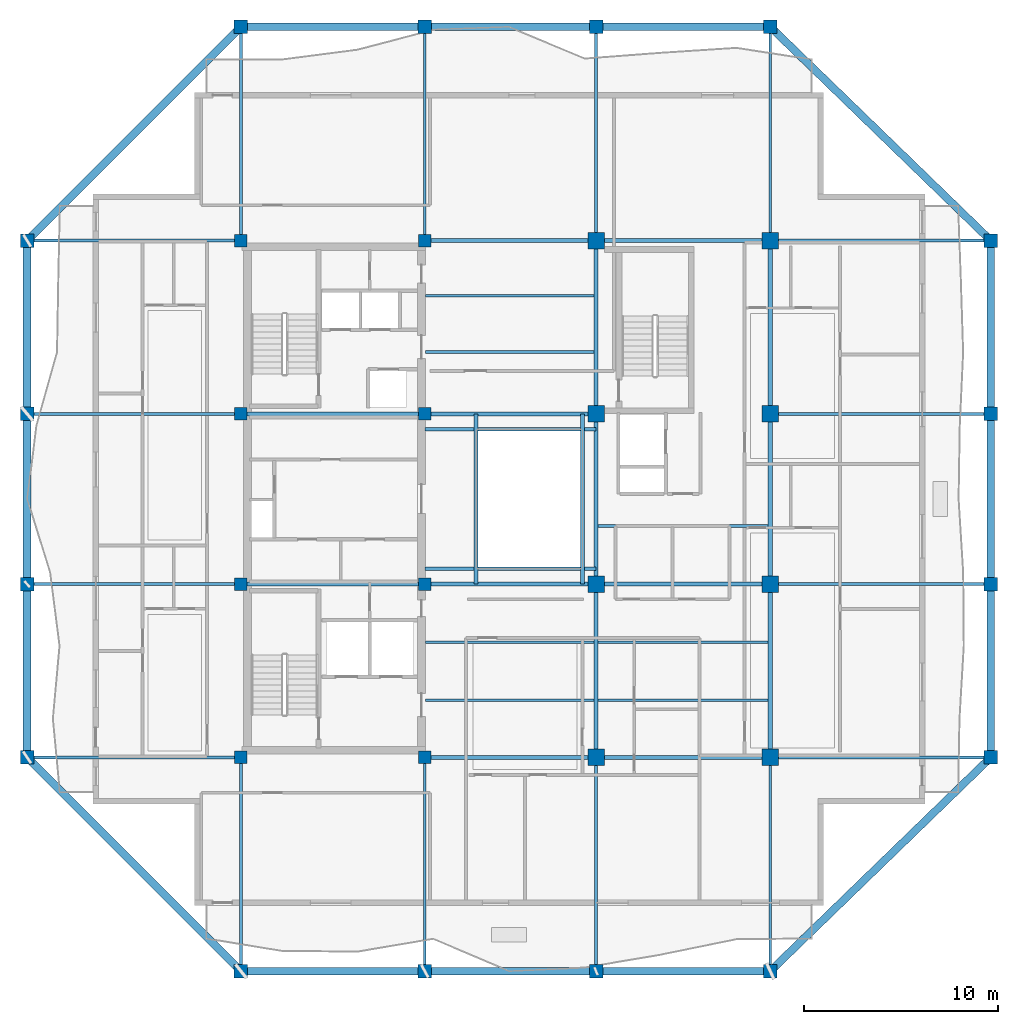
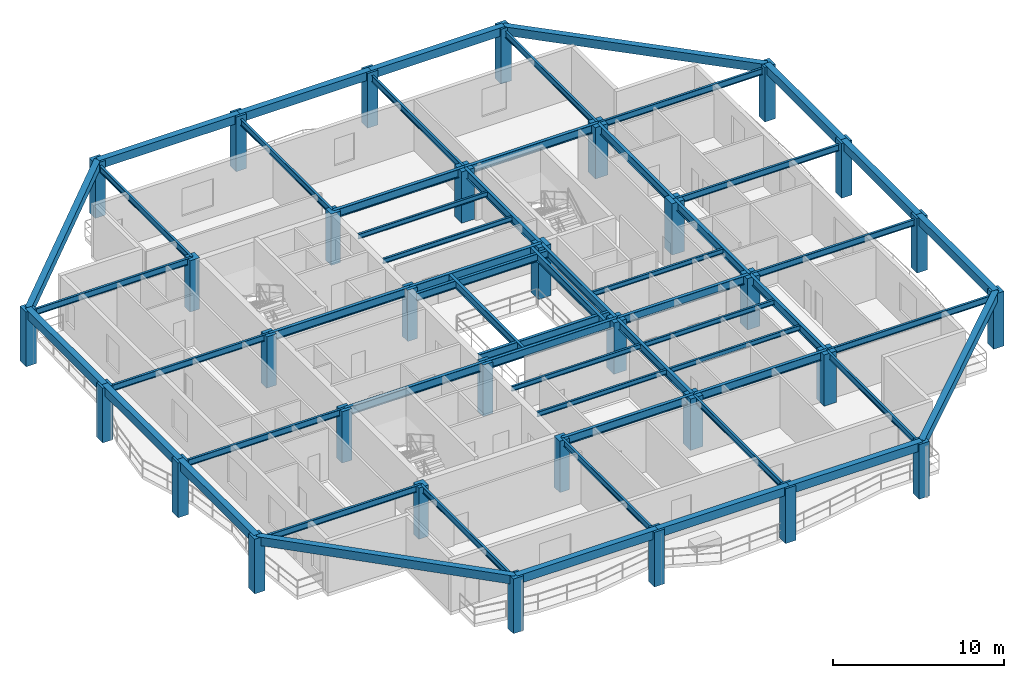
# One storey, part 1 of 12: 58 beams, 32 columns.
"""IFC4 building model written with IfcOpenShell, lengths in metres."""

from ifc_helpers import new_model, si_unit, direction, frame, origin, origin_2d, place, context, subcontext, project, spatial, rectangle, i_section, extrude, material, material_profile, profile_set, type_object, element, save


model = new_model("IFC4")

# Units and contexts
model_context = context("Model", 3, precision=1e-05, world=origin(), true_north=direction((0.0, 1.0)))
body_context = subcontext(model_context, "Body", "Model", "MODEL_VIEW")
ifc_project = project(units=[si_unit("LENGTHUNIT", "METRE"), si_unit("AREAUNIT", "SQUARE_METRE"), si_unit("VOLUMEUNIT", "CUBIC_METRE"), si_unit("PLANEANGLEUNIT", "RADIAN"), si_unit("MASSUNIT", "GRAM", prefix="KILO")], contexts=[model_context])

# Site, building, storey
site_placement = place(None, origin())
site = spatial("IfcSite", under=ifc_project, at=site_placement, CompositionType="ELEMENT")
building_placement = place(site_placement, origin())
building = spatial("IfcBuilding", under=site, at=building_placement, Name="Kundavana Baori Tower", CompositionType="ELEMENT")
storey_placement = place(building_placement, frame((0.0, 0.0, 237.5)))
storey = spatial("IfcBuildingStorey", under=building, at=storey_placement, Name="L58", CompositionType="ELEMENT", Elevation=237.5)

# Columns
ifc_material_1 = material(Name="Concrete C50/60", Category="concrete")
ifc_material_profile_1 = material_profile(ifc_material_1, rectangle(XDim=0.699951171875, YDim=0.699951171875, at=origin_2d()), Name="RC PF 700x700")
ifc_profile_set_1 = profile_set([ifc_material_profile_1], Name="Concrete C50/60")
column_type_1 = type_object("IfcColumnType", Name="COL-PF-700", PredefinedType="COLUMN", material=ifc_profile_set_1)
for number, where, z_axis, x_axis, name in (
    (1, (15.449951171875, 4.199951171875, 0.0), (0.0, 0.0, 1.0), (1.0, 0.0, 0.0), "L58 Stone-Clad Perimeter Frame Column PF-S1"),
    (2, (15.449951171875, 53.0, 0.0), (0.0, 0.0, 1.0), (1.0, 0.0, 0.0), "L58 Stone-Clad Perimeter Frame Column PF-N1"),
    (3, (24.949951171875, 4.199951171875, 0.0), (0.0, 0.0, 1.0), (1.0, 0.0, 0.0), "L58 Stone-Clad Perimeter Frame Column PF-S2"),
    (4, (24.949951171875, 53.0, 0.0), (0.0, 0.0, 1.0), (1.0, 0.0, 0.0), "L58 Stone-Clad Perimeter Frame Column PF-N2"),
    (5, (33.800048828125, 4.199951171875, 0.0), (0.0, 0.0, 1.0), (1.0, 0.0, 0.0), "L58 Stone-Clad Perimeter Frame Column PF-S3"),
    (6, (33.800048828125, 53.0, 0.0), (0.0, 0.0, 1.0), (1.0, 0.0, 0.0), "L58 Stone-Clad Perimeter Frame Column PF-N3"),
    (7, (42.800048828125, 4.199951171875, 0.0), (0.0, 0.0, 1.0), (1.0, 0.0, 0.0), "L58 Stone-Clad Perimeter Frame Column PF-S4"),
    (8, (42.800048828125, 53.0, 0.0), (0.0, 0.0, 1.0), (1.0, 0.0, 0.0), "L58 Stone-Clad Perimeter Frame Column PF-N4"),
    (9, (4.39990234375, 15.25, 0.0), (0.0, 0.0, 1.0), (1.0, 0.0, 0.0), "L58 Stone-Clad Perimeter Frame Column PF-W1"),
    (10, (54.199951171875, 15.25, 0.0), (0.0, 0.0, 1.0), (1.0, 0.0, 0.0), "L58 Stone-Clad Perimeter Frame Column PF-E1"),
    (11, (4.39990234375, 24.199951171875, 0.0), (0.0, 0.0, 1.0), (1.0, 0.0, 0.0), "L58 Stone-Clad Perimeter Frame Column PF-W2"),
    (12, (54.199951171875, 24.199951171875, 0.0), (0.0, 0.0, 1.0), (1.0, 0.0, 0.0), "L58 Stone-Clad Perimeter Frame Column PF-E2"),
    (13, (4.39990234375, 33.0, 0.0), (0.0, 0.0, 1.0), (1.0, 0.0, 0.0), "L58 Stone-Clad Perimeter Frame Column PF-W3"),
    (14, (54.199951171875, 33.0, 0.0), (0.0, 0.0, 1.0), (1.0, 0.0, 0.0), "L58 Stone-Clad Perimeter Frame Column PF-E3"),
    (15, (4.39990234375, 41.949951171875, 0.0), (0.0, 0.0, 1.0), (1.0, 0.0, 0.0), "L58 Stone-Clad Perimeter Frame Column PF-W4"),
    (16, (54.199951171875, 41.949951171875, 0.0), (0.0, 0.0, 1.0), (1.0, 0.0, 0.0), "L58 Stone-Clad Perimeter Frame Column PF-E4"),
):
    element("IfcColumn", number, at=place(storey_placement, frame(where, z_axis=z_axis, x_axis=x_axis)), inside=storey, type_object=column_type_1, Name=name, PredefinedType="COLUMN", context=body_context, shape_type="SweptSolid", body=[
        extrude(rectangle(XDim=0.699951171875, YDim=0.699951171875, at=origin_2d()), origin(), (0.0, 0.0, 1.0), 3.89990234375),
    ])
ifc_material_2 = material(Name="Concrete C50/60", Category="concrete")
ifc_material_profile_2 = material_profile(ifc_material_2, rectangle(XDim=0.64990234375, YDim=0.64990234375, at=origin_2d()), Name="RC 650x650")
ifc_profile_set_2 = profile_set([ifc_material_profile_2], Name="Concrete C50/60")
column_type_2 = type_object("IfcColumnType", Name="COL-RC-650", PredefinedType="COLUMN", material=ifc_profile_set_2)
for number, where, z_axis, x_axis, name in (
    (17, (15.449951171875, 15.25, 0.0), (0.0, 0.0, 1.0), (1.0, 0.0, 0.0), "L58 Interior Column IC-3C"),
    (18, (15.449951171875, 24.199951171875, 0.0), (0.0, 0.0, 1.0), (1.0, 0.0, 0.0), "L58 Interior Column IC-3D"),
    (19, (15.449951171875, 33.0, 0.0), (0.0, 0.0, 1.0), (1.0, 0.0, 0.0), "L58 Interior Column IC-3E"),
    (20, (15.449951171875, 41.949951171875, 0.0), (0.0, 0.0, 1.0), (1.0, 0.0, 0.0), "L58 Interior Column IC-3F"),
    (21, (24.949951171875, 15.25, 0.0), (0.0, 0.0, 1.0), (1.0, 0.0, 0.0), "L58 Interior Column IC-4C"),
    (22, (24.949951171875, 24.199951171875, 0.0), (0.0, 0.0, 1.0), (1.0, 0.0, 0.0), "L58 Interior Column IC-4D"),
    (23, (24.949951171875, 33.0, 0.0), (0.0, 0.0, 1.0), (1.0, 0.0, 0.0), "L58 Interior Column IC-4E"),
    (24, (24.949951171875, 41.949951171875, 0.0), (0.0, 0.0, 1.0), (1.0, 0.0, 0.0), "L58 Interior Column IC-4F"),
):
    element("IfcColumn", number, at=place(storey_placement, frame(where, z_axis=z_axis, x_axis=x_axis)), inside=storey, type_object=column_type_2, Name=name, PredefinedType="COLUMN", context=body_context, shape_type="SweptSolid", body=[
        extrude(rectangle(XDim=0.64990234375, YDim=0.64990234375, at=origin_2d()), origin(), (0.0, 0.0, 1.0), 3.659912109375),
    ])
ifc_material_3 = material(Name="Concrete C50/60", Category="concrete")
ifc_material_profile_3 = material_profile(ifc_material_3, rectangle(XDim=0.85009765625, YDim=0.85009765625, at=origin_2d()), Name="RC 850x850")
ifc_profile_set_3 = profile_set([ifc_material_profile_3], Name="Concrete C50/60")
column_type_3 = type_object("IfcColumnType", Name="COL-RC-850", PredefinedType="COLUMN", material=ifc_profile_set_3)
for number, where, z_axis, x_axis, name in (
    (25, (33.800048828125, 15.25, 0.0), (0.0, 0.0, 1.0), (1.0, 0.0, 0.0), "L58 Interior Column IC-5C"),
    (26, (33.800048828125, 24.199951171875, 0.0), (0.0, 0.0, 1.0), (1.0, 0.0, 0.0), "L58 Interior Column IC-5D"),
    (27, (33.800048828125, 33.0, 0.0), (0.0, 0.0, 1.0), (1.0, 0.0, 0.0), "L58 Interior Column IC-5E"),
    (28, (33.800048828125, 41.949951171875, 0.0), (0.0, 0.0, 1.0), (1.0, 0.0, 0.0), "L58 Interior Column IC-5F"),
    (29, (42.800048828125, 15.25, 0.0), (0.0, 0.0, 1.0), (1.0, 0.0, 0.0), "L58 Interior Column IC-6C"),
    (30, (42.800048828125, 24.199951171875, 0.0), (0.0, 0.0, 1.0), (1.0, 0.0, 0.0), "L58 Interior Column IC-6D"),
    (31, (42.800048828125, 33.0, 0.0), (0.0, 0.0, 1.0), (1.0, 0.0, 0.0), "L58 Interior Column IC-6E"),
    (32, (42.800048828125, 41.949951171875, 0.0), (0.0, 0.0, 1.0), (1.0, 0.0, 0.0), "L58 Interior Column IC-6F"),
):
    element("IfcColumn", number, at=place(storey_placement, frame(where, z_axis=z_axis, x_axis=x_axis)), inside=storey, type_object=column_type_3, Name=name, PredefinedType="COLUMN", context=body_context, shape_type="SweptSolid", body=[
        extrude(rectangle(XDim=0.85009765625, YDim=0.85009765625, at=origin_2d()), origin(), (0.0, 0.0, 1.0), 3.659912109375),
    ])

# Beams
ifc_material_4 = material(Name="Structural Steel S355JR", Category="steel")
ifc_material_profile_4 = material_profile(ifc_material_4, i_section(OverallWidth=0.139892578125, OverallDepth=0.35009765625, WebThickness=0.008056640625, FlangeThickness=0.01416015625, FilletRadius=0.013916015625, at=origin_2d()), Name="ISMB 350")
ifc_profile_set_4 = profile_set([ifc_material_profile_4], Name="Structural Steel S355JR")
beam_type_1 = type_object("IfcBeamType", Name="BM-JST-350", PredefinedType="JOIST", material=ifc_profile_set_4)
for number, where, z_axis, x_axis, name in (
    (33, (24.97998046875, 18.199951171875, 3.485107421875), (1.0, 0.0, 0.0), (0.0, 1.0, 0.0), "L58 Central Bay Composite Floor Joist C1"),
    (34, (24.97998046875, 21.199951171875, 3.485107421875), (1.0, 0.0, 0.0), (0.0, 1.0, 0.0), "L58 Central Bay Composite Floor Joist C2"),
    (35, (24.97998046875, 36.199951171875, 3.485107421875), (1.0, 0.0, 0.0), (0.0, 1.0, 0.0), "L58 Central Bay Composite Floor Joist C3"),
    (36, (24.97998046875, 39.10009765625, 3.485107421875), (1.0, 0.0, 0.0), (0.0, 1.0, 0.0), "L58 Central Bay Composite Floor Joist C4"),
):
    element("IfcBeam", number, at=place(storey_placement, frame(where, z_axis=z_axis, x_axis=x_axis)), inside=storey, type_object=beam_type_1, Name=name, PredefinedType="JOIST", context=body_context, shape_type="SweptSolid", body=[
        extrude(i_section(OverallWidth=0.139892578125, OverallDepth=0.35009765625, WebThickness=0.008056640625, FlangeThickness=0.01416015625, FilletRadius=0.013916015625, at=origin_2d()), origin(), (0.0, 0.0, 1.0), 8.715087890625),
    ])
for number, where, z_axis, x_axis, name in (
    (37, (33.905029296875, 18.199951171875, 3.485107421875), (1.0, 0.0, 0.0), (0.0, 1.0, 0.0), "L58 East Bay Composite Floor Joist E1"),
    (38, (33.905029296875, 21.199951171875, 3.485107421875), (1.0, 0.0, 0.0), (0.0, 1.0, 0.0), "L58 East Bay Composite Floor Joist E2"),
    (39, (33.905029296875, 27.199951171875, 3.485107421875), (1.0, 0.0, 0.0), (0.0, 1.0, 0.0), "L58 East Bay Composite Floor Joist E3"),
):
    element("IfcBeam", number, at=place(storey_placement, frame(where, z_axis=z_axis, x_axis=x_axis)), inside=storey, type_object=beam_type_1, Name=name, PredefinedType="JOIST", context=body_context, shape_type="SweptSolid", body=[
        extrude(i_section(OverallWidth=0.139892578125, OverallDepth=0.35009765625, WebThickness=0.008056640625, FlangeThickness=0.01416015625, FilletRadius=0.013916015625, at=origin_2d()), origin(), (0.0, 0.0, 1.0), 8.7900390625),
    ])
ifc_material_5 = material(Name="Concrete C50/60", Category="concrete")
ifc_material_profile_5 = material_profile(ifc_material_5, rectangle(XDim=0.39990234375, YDim=0.60009765625, at=origin_2d()), Name="RC BM 400x600")
ifc_profile_set_5 = profile_set([ifc_material_profile_5], Name="Concrete C50/60")
beam_type_2 = type_object("IfcBeamType", Name="BM-PF-600", PredefinedType="SPANDREL", material=ifc_profile_set_5)
beam_1_placement = place(storey_placement, frame((15.449951171875, 4.199951171875, 3.60009765625), z_axis=(1.0, 0.0, 0.0), x_axis=(0.0, 1.0, 0.0)))
element("IfcBeam", 40, at=beam_1_placement, inside=storey, type_object=beam_type_2, Name="L58 Perimeter Frame Ring Beam S1", PredefinedType="SPANDREL", context=body_context, shape_type="SweptSolid", body=[
    extrude(rectangle(XDim=0.39990234375, YDim=0.60009765625, at=origin_2d()), origin(), (0.0, 0.0, 1.0), 9.5),
])
beam_2_placement = place(storey_placement, frame((24.949951171875, 4.199951171875, 3.60009765625), z_axis=(1.0, 0.0, 0.0), x_axis=(0.0, 1.0, 0.0)))
element("IfcBeam", 41, at=beam_2_placement, inside=storey, type_object=beam_type_2, Name="L58 Perimeter Frame Ring Beam S2", PredefinedType="SPANDREL", context=body_context, shape_type="SweptSolid", body=[
    extrude(rectangle(XDim=0.39990234375, YDim=0.60009765625, at=origin_2d()), origin(), (0.0, 0.0, 1.0), 8.85009765625),
])
beam_3_placement = place(storey_placement, frame((33.800048828125, 4.199951171875, 3.60009765625), z_axis=(1.0, 0.0, 0.0), x_axis=(0.0, 1.0, 0.0)))
element("IfcBeam", 42, at=beam_3_placement, inside=storey, type_object=beam_type_2, Name="L58 Perimeter Frame Ring Beam S3", PredefinedType="SPANDREL", context=body_context, shape_type="SweptSolid", body=[
    extrude(rectangle(XDim=0.39990234375, YDim=0.60009765625, at=origin_2d()), origin(), (0.0, 0.0, 1.0), 9.0),
])
beam_4_placement = place(storey_placement, frame((15.449951171875, 53.0, 3.60009765625), z_axis=(1.0, 0.0, 0.0), x_axis=(0.0, 1.0, 0.0)))
element("IfcBeam", 43, at=beam_4_placement, inside=storey, type_object=beam_type_2, Name="L58 Perimeter Frame Ring Beam N1", PredefinedType="SPANDREL", context=body_context, shape_type="SweptSolid", body=[
    extrude(rectangle(XDim=0.39990234375, YDim=0.60009765625, at=origin_2d()), origin(), (0.0, 0.0, 1.0), 9.5),
])
beam_5_placement = place(storey_placement, frame((24.949951171875, 53.0, 3.60009765625), z_axis=(1.0, 0.0, 0.0), x_axis=(0.0, 1.0, 0.0)))
element("IfcBeam", 44, at=beam_5_placement, inside=storey, type_object=beam_type_2, Name="L58 Perimeter Frame Ring Beam N2", PredefinedType="SPANDREL", context=body_context, shape_type="SweptSolid", body=[
    extrude(rectangle(XDim=0.39990234375, YDim=0.60009765625, at=origin_2d()), origin(), (0.0, 0.0, 1.0), 8.85009765625),
])
beam_6_placement = place(storey_placement, frame((33.800048828125, 53.0, 3.60009765625), z_axis=(1.0, 0.0, 0.0), x_axis=(0.0, 1.0, 0.0)))
element("IfcBeam", 45, at=beam_6_placement, inside=storey, type_object=beam_type_2, Name="L58 Perimeter Frame Ring Beam N3", PredefinedType="SPANDREL", context=body_context, shape_type="SweptSolid", body=[
    extrude(rectangle(XDim=0.39990234375, YDim=0.60009765625, at=origin_2d()), origin(), (0.0, 0.0, 1.0), 9.0),
])
beam_7_placement = place(storey_placement, frame((4.39990234375, 15.25, 3.60009765625), z_axis=(0.0, 1.0, 0.0), x_axis=(-1.0, 0.0, 0.0)))
element("IfcBeam", 46, at=beam_7_placement, inside=storey, type_object=beam_type_2, Name="L58 Perimeter Frame Ring Beam W1", PredefinedType="SPANDREL", context=body_context, shape_type="SweptSolid", body=[
    extrude(rectangle(XDim=0.39990234375, YDim=0.60009765625, at=origin_2d()), origin(), (0.0, 0.0, 1.0), 8.949951171875),
])
beam_8_placement = place(storey_placement, frame((4.39990234375, 24.199951171875, 3.60009765625), z_axis=(0.0, 1.0, 0.0), x_axis=(-1.0, 0.0, 0.0)))
element("IfcBeam", 47, at=beam_8_placement, inside=storey, type_object=beam_type_2, Name="L58 Perimeter Frame Ring Beam W2", PredefinedType="SPANDREL", context=body_context, shape_type="SweptSolid", body=[
    extrude(rectangle(XDim=0.39990234375, YDim=0.60009765625, at=origin_2d()), origin(), (0.0, 0.0, 1.0), 8.800048828125),
])
for number, where, z_axis, x_axis, name in (
    (48, (4.39990234375, 33.0, 3.60009765625), (0.0, 1.0, 0.0), (-1.0, 0.0, 0.0), "L58 Perimeter Frame Ring Beam W3"),
    (49, (54.199951171875, 15.25, 3.60009765625), (0.0, 1.0, 0.0), (-1.0, 0.0, 0.0), "L58 Perimeter Frame Ring Beam E1"),
):
    element("IfcBeam", number, at=place(storey_placement, frame(where, z_axis=z_axis, x_axis=x_axis)), inside=storey, type_object=beam_type_2, Name=name, PredefinedType="SPANDREL", context=body_context, shape_type="SweptSolid", body=[
        extrude(rectangle(XDim=0.39990234375, YDim=0.60009765625, at=origin_2d()), origin(), (0.0, 0.0, 1.0), 8.949951171875),
    ])
beam_9_placement = place(storey_placement, frame((54.199951171875, 24.199951171875, 3.60009765625), z_axis=(0.0, 1.0, 0.0), x_axis=(-1.0, 0.0, 0.0)))
element("IfcBeam", 50, at=beam_9_placement, inside=storey, type_object=beam_type_2, Name="L58 Perimeter Frame Ring Beam E2", PredefinedType="SPANDREL", context=body_context, shape_type="SweptSolid", body=[
    extrude(rectangle(XDim=0.39990234375, YDim=0.60009765625, at=origin_2d()), origin(), (0.0, 0.0, 1.0), 8.800048828125),
])
beam_10_placement = place(storey_placement, frame((54.199951171875, 33.0, 3.60009765625), z_axis=(0.0, 1.0, 0.0), x_axis=(-1.0, 0.0, 0.0)))
element("IfcBeam", 51, at=beam_10_placement, inside=storey, type_object=beam_type_2, Name="L58 Perimeter Frame Ring Beam E3", PredefinedType="SPANDREL", context=body_context, shape_type="SweptSolid", body=[
    extrude(rectangle(XDim=0.39990234375, YDim=0.60009765625, at=origin_2d()), origin(), (0.0, 0.0, 1.0), 8.949951171875),
])
beam_11_placement = place(storey_placement, frame((15.449951171875, 4.199951171875, 3.60009765625), z_axis=(-0.707106781187, 0.707106781187, 0.0), x_axis=(-0.707106781187, -0.707106781187, 0.0)))
element("IfcBeam", 52, at=beam_11_placement, inside=storey, type_object=beam_type_2, Name="L58 Notched Corner Perimeter Beam SW", PredefinedType="SPANDREL", context=body_context, shape_type="SweptSolid", body=[
    extrude(rectangle(XDim=0.39990234375, YDim=0.60009765625, at=origin_2d()), origin(), (0.0, 0.0, 1.0), 15.627197265625),
])
beam_12_placement = place(storey_placement, frame((42.800048828125, 4.199951171875, 3.60009765625), z_axis=(0.718038944492, 0.696002926857, 0.0), x_axis=(-0.696002926857, 0.718038944492, 0.0)))
element("IfcBeam", 53, at=beam_12_placement, inside=storey, type_object=beam_type_2, Name="L58 Notched Corner Perimeter Beam SE", PredefinedType="SPANDREL", context=body_context, shape_type="SweptSolid", body=[
    extrude(rectangle(XDim=0.39990234375, YDim=0.60009765625, at=origin_2d()), origin(), (0.0, 0.0, 1.0), 15.87646484375),
])
beam_13_placement = place(storey_placement, frame((15.449951171875, 53.0, 3.60009765625), z_axis=(-0.707106781187, -0.707106781187, 0.0), x_axis=(0.707106781187, -0.707106781187, 0.0)))
element("IfcBeam", 54, at=beam_13_placement, inside=storey, type_object=beam_type_2, Name="L58 Notched Corner Perimeter Beam NW", PredefinedType="SPANDREL", context=body_context, shape_type="SweptSolid", body=[
    extrude(rectangle(XDim=0.39990234375, YDim=0.60009765625, at=origin_2d()), origin(), (0.0, 0.0, 1.0), 15.627197265625),
])
beam_14_placement = place(storey_placement, frame((42.800048828125, 53.0, 3.60009765625), z_axis=(0.718038944492, -0.696002926857, 0.0), x_axis=(0.696002926857, 0.718038944492, 0.0)))
element("IfcBeam", 55, at=beam_14_placement, inside=storey, type_object=beam_type_2, Name="L58 Notched Corner Perimeter Beam NE", PredefinedType="SPANDREL", context=body_context, shape_type="SweptSolid", body=[
    extrude(rectangle(XDim=0.39990234375, YDim=0.60009765625, at=origin_2d()), origin(), (0.0, 0.0, 1.0), 15.87646484375),
])
ifc_material_6 = material(Name="Structural Steel S355JR", Category="steel")
ifc_material_profile_6 = material_profile(ifc_material_6, i_section(OverallWidth=0.18994140625, OverallDepth=0.550048828125, WebThickness=0.01123046875, FlangeThickness=0.019287109375, FilletRadius=0.01806640625, at=origin_2d()), Name="ISMB 550")
ifc_profile_set_6 = profile_set([ifc_material_profile_6], Name="Structural Steel S355JR")
beam_type_3 = type_object("IfcBeamType", Name="BM-ST-550", PredefinedType="BEAM", material=ifc_profile_set_6)
for number, where, z_axis, x_axis, name in (
    (56, (27.60009765625, 24.199951171875, 3.385009765625), (0.0, 1.0, 0.0), (-1.0, 0.0, 0.0), "L58 Atrium West Edge Beam"),
    (57, (33.10009765625, 24.199951171875, 3.385009765625), (0.0, 1.0, 0.0), (-1.0, 0.0, 0.0), "L58 Atrium East Edge Beam"),
):
    element("IfcBeam", number, at=place(storey_placement, frame(where, z_axis=z_axis, x_axis=x_axis)), inside=storey, type_object=beam_type_3, Name=name, PredefinedType="BEAM", context=body_context, shape_type="SweptSolid", body=[
        extrude(i_section(OverallWidth=0.18994140625, OverallDepth=0.550048828125, WebThickness=0.01123046875, FlangeThickness=0.019287109375, FilletRadius=0.01806640625, at=origin_2d()), origin(), (0.0, 0.0, 1.0), 8.800048828125),
    ])
for number, where, z_axis, x_axis, name in (
    (58, (24.949951171875, 25.0, 3.385009765625), (1.0, 0.0, 0.0), (0.0, 1.0, 0.0), "L58 Atrium South Edge Beam"),
    (59, (24.949951171875, 32.199951171875, 3.385009765625), (1.0, 0.0, 0.0), (0.0, 1.0, 0.0), "L58 Atrium North Edge Beam"),
):
    element("IfcBeam", number, at=place(storey_placement, frame(where, z_axis=z_axis, x_axis=x_axis)), inside=storey, type_object=beam_type_3, Name=name, PredefinedType="BEAM", context=body_context, shape_type="SweptSolid", body=[
        extrude(i_section(OverallWidth=0.18994140625, OverallDepth=0.550048828125, WebThickness=0.01123046875, FlangeThickness=0.019287109375, FilletRadius=0.01806640625, at=origin_2d()), origin(), (0.0, 0.0, 1.0), 8.85009765625),
    ])
ifc_material_7 = material(Name="Structural Steel S355JR", Category="steel")
ifc_material_profile_7 = material_profile(ifc_material_7, i_section(OverallWidth=0.2099609375, OverallDepth=0.60009765625, WebThickness=0.011962890625, FlangeThickness=0.020751953125, FilletRadius=0.02001953125, at=origin_2d()), Name="ISMB 600")
ifc_profile_set_7 = profile_set([ifc_material_profile_7], Name="Structural Steel S355JR")
beam_type_4 = type_object("IfcBeamType", Name="BM-ST-600", PredefinedType="BEAM", material=ifc_profile_set_7)
beam_15_placement = place(storey_placement, frame((24.949951171875, 15.25, 3.360107421875), z_axis=(1.0, 0.0, 0.0), x_axis=(0.0, 1.0, 0.0)))
element("IfcBeam", 60, at=beam_15_placement, inside=storey, type_object=beam_type_4, Name="L58 Primary Grid Girder GX-1-2", PredefinedType="BEAM", context=body_context, shape_type="SweptSolid", body=[
    extrude(i_section(OverallWidth=0.2099609375, OverallDepth=0.60009765625, WebThickness=0.011962890625, FlangeThickness=0.020751953125, FilletRadius=0.02001953125, at=origin_2d()), origin(), (0.0, 0.0, 1.0), 8.85009765625),
])
beam_16_placement = place(storey_placement, frame((33.800048828125, 15.25, 3.360107421875), z_axis=(1.0, 0.0, 0.0), x_axis=(0.0, 1.0, 0.0)))
element("IfcBeam", 61, at=beam_16_placement, inside=storey, type_object=beam_type_4, Name="L58 Primary Grid Girder GX-1-3", PredefinedType="BEAM", context=body_context, shape_type="SweptSolid", body=[
    extrude(i_section(OverallWidth=0.2099609375, OverallDepth=0.60009765625, WebThickness=0.011962890625, FlangeThickness=0.020751953125, FilletRadius=0.02001953125, at=origin_2d()), origin(), (0.0, 0.0, 1.0), 9.0),
])
beam_17_placement = place(storey_placement, frame((15.449951171875, 24.199951171875, 3.360107421875), z_axis=(1.0, 0.0, 0.0), x_axis=(0.0, 1.0, 0.0)))
element("IfcBeam", 62, at=beam_17_placement, inside=storey, type_object=beam_type_4, Name="L58 Primary Grid Girder GX-2-1", PredefinedType="BEAM", context=body_context, shape_type="SweptSolid", body=[
    extrude(i_section(OverallWidth=0.2099609375, OverallDepth=0.60009765625, WebThickness=0.011962890625, FlangeThickness=0.020751953125, FilletRadius=0.02001953125, at=origin_2d()), origin(), (0.0, 0.0, 1.0), 9.5),
])
beam_18_placement = place(storey_placement, frame((24.949951171875, 24.199951171875, 3.360107421875), z_axis=(1.0, 0.0, 0.0), x_axis=(0.0, 1.0, 0.0)))
element("IfcBeam", 63, at=beam_18_placement, inside=storey, type_object=beam_type_4, Name="L58 Primary Grid Girder GX-2-2", PredefinedType="BEAM", context=body_context, shape_type="SweptSolid", body=[
    extrude(i_section(OverallWidth=0.2099609375, OverallDepth=0.60009765625, WebThickness=0.011962890625, FlangeThickness=0.020751953125, FilletRadius=0.02001953125, at=origin_2d()), origin(), (0.0, 0.0, 1.0), 8.85009765625),
])
beam_19_placement = place(storey_placement, frame((33.800048828125, 24.199951171875, 3.360107421875), z_axis=(1.0, 0.0, 0.0), x_axis=(0.0, 1.0, 0.0)))
element("IfcBeam", 64, at=beam_19_placement, inside=storey, type_object=beam_type_4, Name="L58 Primary Grid Girder GX-2-3", PredefinedType="BEAM", context=body_context, shape_type="SweptSolid", body=[
    extrude(i_section(OverallWidth=0.2099609375, OverallDepth=0.60009765625, WebThickness=0.011962890625, FlangeThickness=0.020751953125, FilletRadius=0.02001953125, at=origin_2d()), origin(), (0.0, 0.0, 1.0), 9.0),
])
beam_20_placement = place(storey_placement, frame((15.449951171875, 33.0, 3.360107421875), z_axis=(1.0, 0.0, 0.0), x_axis=(0.0, 1.0, 0.0)))
element("IfcBeam", 65, at=beam_20_placement, inside=storey, type_object=beam_type_4, Name="L58 Primary Grid Girder GX-3-1", PredefinedType="BEAM", context=body_context, shape_type="SweptSolid", body=[
    extrude(i_section(OverallWidth=0.2099609375, OverallDepth=0.60009765625, WebThickness=0.011962890625, FlangeThickness=0.020751953125, FilletRadius=0.02001953125, at=origin_2d()), origin(), (0.0, 0.0, 1.0), 9.5),
])
for number, where, z_axis, x_axis, name in (
    (66, (24.949951171875, 33.0, 3.360107421875), (1.0, 0.0, 0.0), (0.0, 1.0, 0.0), "L58 Primary Grid Girder GX-3-2"),
    (67, (24.949951171875, 41.949951171875, 3.360107421875), (1.0, 0.0, 0.0), (0.0, 1.0, 0.0), "L58 Primary Grid Girder GX-4-2"),
):
    element("IfcBeam", number, at=place(storey_placement, frame(where, z_axis=z_axis, x_axis=x_axis)), inside=storey, type_object=beam_type_4, Name=name, PredefinedType="BEAM", context=body_context, shape_type="SweptSolid", body=[
        extrude(i_section(OverallWidth=0.2099609375, OverallDepth=0.60009765625, WebThickness=0.011962890625, FlangeThickness=0.020751953125, FilletRadius=0.02001953125, at=origin_2d()), origin(), (0.0, 0.0, 1.0), 8.85009765625),
    ])
beam_21_placement = place(storey_placement, frame((33.800048828125, 41.949951171875, 3.360107421875), z_axis=(1.0, 0.0, 0.0), x_axis=(0.0, 1.0, 0.0)))
element("IfcBeam", 68, at=beam_21_placement, inside=storey, type_object=beam_type_4, Name="L58 Primary Grid Girder GX-4-3", PredefinedType="BEAM", context=body_context, shape_type="SweptSolid", body=[
    extrude(i_section(OverallWidth=0.2099609375, OverallDepth=0.60009765625, WebThickness=0.011962890625, FlangeThickness=0.020751953125, FilletRadius=0.02001953125, at=origin_2d()), origin(), (0.0, 0.0, 1.0), 9.0),
])
beam_22_placement = place(storey_placement, frame((33.800048828125, 15.25, 3.360107421875), z_axis=(0.0, 1.0, 0.0), x_axis=(-1.0, 0.0, 0.0)))
element("IfcBeam", 69, at=beam_22_placement, inside=storey, type_object=beam_type_4, Name="L58 Primary Grid Girder GY-3-1", PredefinedType="BEAM", context=body_context, shape_type="SweptSolid", body=[
    extrude(i_section(OverallWidth=0.2099609375, OverallDepth=0.60009765625, WebThickness=0.011962890625, FlangeThickness=0.020751953125, FilletRadius=0.02001953125, at=origin_2d()), origin(), (0.0, 0.0, 1.0), 8.949951171875),
])
beam_23_placement = place(storey_placement, frame((33.800048828125, 24.199951171875, 3.360107421875), z_axis=(0.0, 1.0, 0.0), x_axis=(-1.0, 0.0, 0.0)))
element("IfcBeam", 70, at=beam_23_placement, inside=storey, type_object=beam_type_4, Name="L58 Primary Grid Girder GY-3-2", PredefinedType="BEAM", context=body_context, shape_type="SweptSolid", body=[
    extrude(i_section(OverallWidth=0.2099609375, OverallDepth=0.60009765625, WebThickness=0.011962890625, FlangeThickness=0.020751953125, FilletRadius=0.02001953125, at=origin_2d()), origin(), (0.0, 0.0, 1.0), 8.800048828125),
])
for number, where, z_axis, x_axis, name in (
    (71, (33.800048828125, 33.0, 3.360107421875), (0.0, 1.0, 0.0), (-1.0, 0.0, 0.0), "L58 Primary Grid Girder GY-3-3"),
    (72, (42.800048828125, 15.25, 3.360107421875), (0.0, 1.0, 0.0), (-1.0, 0.0, 0.0), "L58 Primary Grid Girder GY-4-1"),
):
    element("IfcBeam", number, at=place(storey_placement, frame(where, z_axis=z_axis, x_axis=x_axis)), inside=storey, type_object=beam_type_4, Name=name, PredefinedType="BEAM", context=body_context, shape_type="SweptSolid", body=[
        extrude(i_section(OverallWidth=0.2099609375, OverallDepth=0.60009765625, WebThickness=0.011962890625, FlangeThickness=0.020751953125, FilletRadius=0.02001953125, at=origin_2d()), origin(), (0.0, 0.0, 1.0), 8.949951171875),
    ])
beam_24_placement = place(storey_placement, frame((42.800048828125, 24.199951171875, 3.360107421875), z_axis=(0.0, 1.0, 0.0), x_axis=(-1.0, 0.0, 0.0)))
element("IfcBeam", 73, at=beam_24_placement, inside=storey, type_object=beam_type_4, Name="L58 Primary Grid Girder GY-4-2", PredefinedType="BEAM", context=body_context, shape_type="SweptSolid", body=[
    extrude(i_section(OverallWidth=0.2099609375, OverallDepth=0.60009765625, WebThickness=0.011962890625, FlangeThickness=0.020751953125, FilletRadius=0.02001953125, at=origin_2d()), origin(), (0.0, 0.0, 1.0), 8.800048828125),
])
beam_25_placement = place(storey_placement, frame((42.800048828125, 33.0, 3.360107421875), z_axis=(0.0, 1.0, 0.0), x_axis=(-1.0, 0.0, 0.0)))
element("IfcBeam", 74, at=beam_25_placement, inside=storey, type_object=beam_type_4, Name="L58 Primary Grid Girder GY-4-3", PredefinedType="BEAM", context=body_context, shape_type="SweptSolid", body=[
    extrude(i_section(OverallWidth=0.2099609375, OverallDepth=0.60009765625, WebThickness=0.011962890625, FlangeThickness=0.020751953125, FilletRadius=0.02001953125, at=origin_2d()), origin(), (0.0, 0.0, 1.0), 8.949951171875),
])
ifc_material_8 = material(Name="Structural Steel S355JR", Category="steel")
ifc_material_profile_8 = material_profile(ifc_material_8, i_section(OverallWidth=0.14990234375, OverallDepth=0.449951171875, WebThickness=0.009521484375, FlangeThickness=0.017333984375, FilletRadius=0.014892578125, at=origin_2d()), Name="ISMB 450")
ifc_profile_set_8 = profile_set([ifc_material_profile_8], Name="Structural Steel S355JR")
beam_type_5 = type_object("IfcBeamType", Name="BM-TIE-450", PredefinedType="BEAM", material=ifc_profile_set_8)
for number, where, z_axis, x_axis, name in (
    (75, (15.449951171875, 15.25, 3.43505859375), (0.0, -1.0, 0.0), (1.0, 0.0, 0.0), "L58 South Radial Loggia Tie Beam S1"),
    (76, (15.449951171875, 41.949951171875, 3.43505859375), (0.0, 1.0, 0.0), (-1.0, 0.0, 0.0), "L58 North Radial Loggia Tie Beam N1"),
    (77, (24.949951171875, 15.25, 3.43505859375), (0.0, -1.0, 0.0), (1.0, 0.0, 0.0), "L58 South Radial Loggia Tie Beam S2"),
    (78, (24.949951171875, 41.949951171875, 3.43505859375), (0.0, 1.0, 0.0), (-1.0, 0.0, 0.0), "L58 North Radial Loggia Tie Beam N2"),
    (79, (33.800048828125, 15.25, 3.43505859375), (0.0, -1.0, 0.0), (1.0, 0.0, 0.0), "L58 South Radial Loggia Tie Beam S3"),
    (80, (33.800048828125, 41.949951171875, 3.43505859375), (0.0, 1.0, 0.0), (-1.0, 0.0, 0.0), "L58 North Radial Loggia Tie Beam N3"),
    (81, (42.800048828125, 15.25, 3.43505859375), (0.0, -1.0, 0.0), (1.0, 0.0, 0.0), "L58 South Radial Loggia Tie Beam S4"),
    (82, (42.800048828125, 41.949951171875, 3.43505859375), (0.0, 1.0, 0.0), (-1.0, 0.0, 0.0), "L58 North Radial Loggia Tie Beam N4"),
    (83, (15.449951171875, 15.25, 3.43505859375), (-1.0, 0.0, 0.0), (0.0, -1.0, 0.0), "L58 West Radial Loggia Tie Beam W1"),
):
    element("IfcBeam", number, at=place(storey_placement, frame(where, z_axis=z_axis, x_axis=x_axis)), inside=storey, type_object=beam_type_5, Name=name, PredefinedType="BEAM", context=body_context, shape_type="SweptSolid", body=[
        extrude(i_section(OverallWidth=0.14990234375, OverallDepth=0.449951171875, WebThickness=0.009521484375, FlangeThickness=0.017333984375, FilletRadius=0.014892578125, at=origin_2d()), origin(), (0.0, 0.0, 1.0), 11.050048828125),
    ])
beam_26_placement = place(storey_placement, frame((42.800048828125, 15.25, 3.43505859375), z_axis=(1.0, 0.0, 0.0), x_axis=(0.0, 1.0, 0.0)))
element("IfcBeam", 84, at=beam_26_placement, inside=storey, type_object=beam_type_5, Name="L58 East Radial Loggia Tie Beam E1", PredefinedType="BEAM", context=body_context, shape_type="SweptSolid", body=[
    extrude(i_section(OverallWidth=0.14990234375, OverallDepth=0.449951171875, WebThickness=0.009521484375, FlangeThickness=0.017333984375, FilletRadius=0.014892578125, at=origin_2d()), origin(), (0.0, 0.0, 1.0), 11.39990234375),
])
beam_27_placement = place(storey_placement, frame((15.449951171875, 24.199951171875, 3.43505859375), z_axis=(-1.0, 0.0, 0.0), x_axis=(0.0, -1.0, 0.0)))
element("IfcBeam", 85, at=beam_27_placement, inside=storey, type_object=beam_type_5, Name="L58 West Radial Loggia Tie Beam W2", PredefinedType="BEAM", context=body_context, shape_type="SweptSolid", body=[
    extrude(i_section(OverallWidth=0.14990234375, OverallDepth=0.449951171875, WebThickness=0.009521484375, FlangeThickness=0.017333984375, FilletRadius=0.014892578125, at=origin_2d()), origin(), (0.0, 0.0, 1.0), 11.050048828125),
])
beam_28_placement = place(storey_placement, frame((42.800048828125, 24.199951171875, 3.43505859375), z_axis=(1.0, 0.0, 0.0), x_axis=(0.0, 1.0, 0.0)))
element("IfcBeam", 86, at=beam_28_placement, inside=storey, type_object=beam_type_5, Name="L58 East Radial Loggia Tie Beam E2", PredefinedType="BEAM", context=body_context, shape_type="SweptSolid", body=[
    extrude(i_section(OverallWidth=0.14990234375, OverallDepth=0.449951171875, WebThickness=0.009521484375, FlangeThickness=0.017333984375, FilletRadius=0.014892578125, at=origin_2d()), origin(), (0.0, 0.0, 1.0), 11.39990234375),
])
beam_29_placement = place(storey_placement, frame((15.449951171875, 33.0, 3.43505859375), z_axis=(-1.0, 0.0, 0.0), x_axis=(0.0, -1.0, 0.0)))
element("IfcBeam", 87, at=beam_29_placement, inside=storey, type_object=beam_type_5, Name="L58 West Radial Loggia Tie Beam W3", PredefinedType="BEAM", context=body_context, shape_type="SweptSolid", body=[
    extrude(i_section(OverallWidth=0.14990234375, OverallDepth=0.449951171875, WebThickness=0.009521484375, FlangeThickness=0.017333984375, FilletRadius=0.014892578125, at=origin_2d()), origin(), (0.0, 0.0, 1.0), 11.050048828125),
])
beam_30_placement = place(storey_placement, frame((42.800048828125, 33.0, 3.43505859375), z_axis=(1.0, 0.0, 0.0), x_axis=(0.0, 1.0, 0.0)))
element("IfcBeam", 88, at=beam_30_placement, inside=storey, type_object=beam_type_5, Name="L58 East Radial Loggia Tie Beam E3", PredefinedType="BEAM", context=body_context, shape_type="SweptSolid", body=[
    extrude(i_section(OverallWidth=0.14990234375, OverallDepth=0.449951171875, WebThickness=0.009521484375, FlangeThickness=0.017333984375, FilletRadius=0.014892578125, at=origin_2d()), origin(), (0.0, 0.0, 1.0), 11.39990234375),
])
beam_31_placement = place(storey_placement, frame((15.449951171875, 41.949951171875, 3.43505859375), z_axis=(-1.0, 0.0, 0.0), x_axis=(0.0, -1.0, 0.0)))
element("IfcBeam", 89, at=beam_31_placement, inside=storey, type_object=beam_type_5, Name="L58 West Radial Loggia Tie Beam W4", PredefinedType="BEAM", context=body_context, shape_type="SweptSolid", body=[
    extrude(i_section(OverallWidth=0.14990234375, OverallDepth=0.449951171875, WebThickness=0.009521484375, FlangeThickness=0.017333984375, FilletRadius=0.014892578125, at=origin_2d()), origin(), (0.0, 0.0, 1.0), 11.050048828125),
])
beam_32_placement = place(storey_placement, frame((42.800048828125, 41.949951171875, 3.43505859375), z_axis=(1.0, 0.0, 0.0), x_axis=(0.0, 1.0, 0.0)))
element("IfcBeam", 90, at=beam_32_placement, inside=storey, type_object=beam_type_5, Name="L58 East Radial Loggia Tie Beam E4", PredefinedType="BEAM", context=body_context, shape_type="SweptSolid", body=[
    extrude(i_section(OverallWidth=0.14990234375, OverallDepth=0.449951171875, WebThickness=0.009521484375, FlangeThickness=0.017333984375, FilletRadius=0.014892578125, at=origin_2d()), origin(), (0.0, 0.0, 1.0), 11.39990234375),
])

save(model, "model.ifc")
